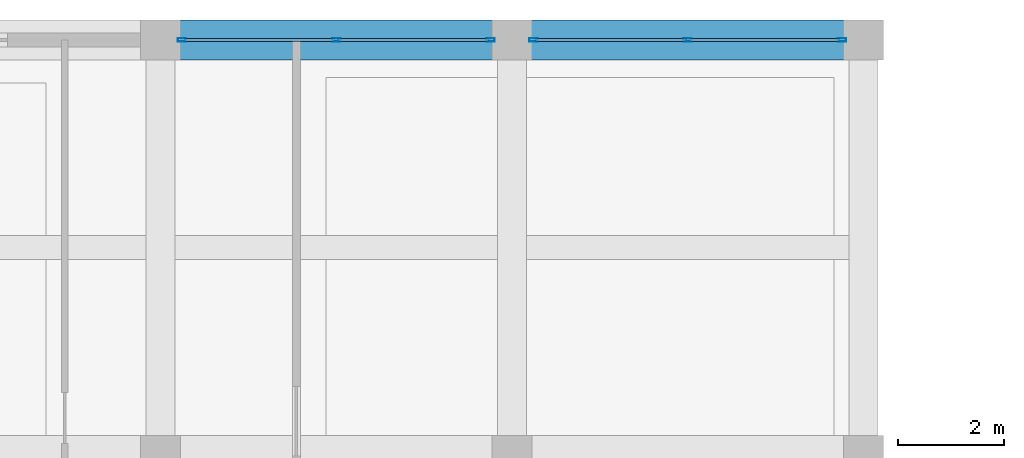
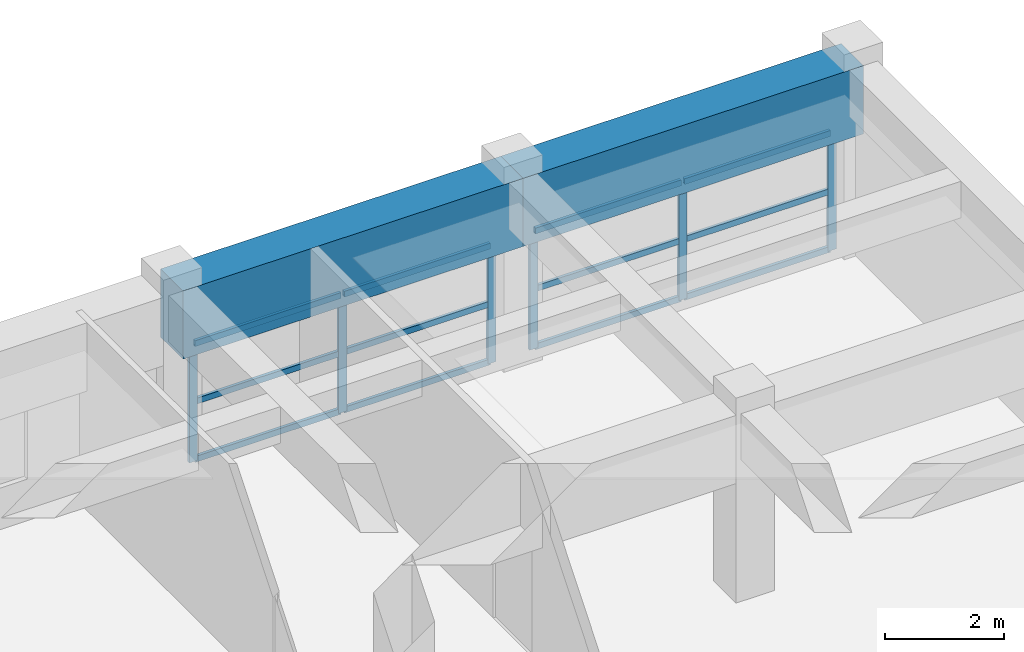
# One storey, part 98 of 148: 18 members, 2 beams, 2 elements without a shape of their own.
"""IFC4 building model written with IfcOpenShell, lengths in metres."""

from ifc_helpers import new_model, si_unit, direction, frame, origin, origin_2d, place, context, subcontext, project, spatial, rectangle, hollow_rectangle, extrude, material, material_profile, profile_set, type_object, element, aggregate, save


model = new_model("IFC4")

# Units and contexts
model_context = context("Model", 3, precision=1e-05, world=origin(), true_north=direction((0.0, 1.0)))
body_context = subcontext(model_context, "Body", "Model", "MODEL_VIEW")
ifc_project = project(units=[si_unit("LENGTHUNIT", "METRE"), si_unit("AREAUNIT", "SQUARE_METRE"), si_unit("VOLUMEUNIT", "CUBIC_METRE"), si_unit("PLANEANGLEUNIT", "RADIAN"), si_unit("MASSUNIT", "GRAM", prefix="KILO")], contexts=[model_context])

# Site, building, storey
site_placement = place(None, origin())
site = spatial("IfcSite", under=ifc_project, at=site_placement, CompositionType="ELEMENT")
building_placement = place(site_placement, origin())
building = spatial("IfcBuilding", under=site, at=building_placement, Name="Karori Crest Natural Sciences Institute", CompositionType="ELEMENT")
storey_placement = place(building_placement, frame((0.0, 0.0, 4.89990234375)))
storey = spatial("IfcBuildingStorey", under=building, at=storey_placement, Name="L01", CompositionType="ELEMENT", Elevation=4.89990234375)

# Beams
ifc_material_1 = material(Name="Concrete 50 MPa", Category="concrete")
ifc_material_profile_1 = material_profile(ifc_material_1, rectangle(XDim=0.75, YDim=1.39990234375, at=origin_2d()), Name="RCB750x1400")
ifc_profile_set_1 = profile_set([ifc_material_profile_1], Name="Concrete 50 MPa")
beam_type = type_object("IfcBeamType", Name="BT-17", PredefinedType="BEAM", material=ifc_profile_set_1)
beam_1_placement = place(storey_placement, frame((14.0, 162.199951171875, 3.150146484375), z_axis=(1.0, 0.0, 0.0), x_axis=(0.0, 1.0, 0.0)))
element("IfcBeam", 1, at=beam_1_placement, inside=storey, type_object=beam_type, Name="Beam B-1478", PredefinedType="BEAM", context=body_context, shape_type="SweptSolid", body=[
    extrude(rectangle(XDim=0.75, YDim=1.39990234375, at=origin_2d()), origin(), (0.0, 0.0, 1.0), 6.60009765625),
])
beam_2_placement = place(storey_placement, frame((20.60009765625, 162.199951171875, 3.150146484375), z_axis=(1.0, 0.0, 0.0), x_axis=(0.0, 1.0, 0.0)))
element("IfcBeam", 2, at=beam_2_placement, inside=storey, type_object=beam_type, Name="Beam B-1479", PredefinedType="BEAM", context=body_context, shape_type="SweptSolid", body=[
    extrude(rectangle(XDim=0.75, YDim=1.39990234375, at=origin_2d()), origin(), (0.0, 0.0, 1.0), 6.599853515625),
])

# Curtain wall, members
ifc_material_2 = material(Name="Anodised architectural aluminium 6063-T6", Category="aluminium")
curtain_wall_type = type_object("IfcCurtainWallType", Name="CWT-19", PredefinedType="NOTDEFINED", material=ifc_material_2)
curtain_wall_1_placement = place(storey_placement, origin())
curtain_wall_1 = element("IfcCurtainWall", 3, at=curtain_wall_1_placement, inside=storey, type_object=curtain_wall_type, Name="Curtain wall CW-0288", PredefinedType="NOTDEFINED")
ifc_material_profile_2 = material_profile(ifc_material_2, hollow_rectangle(XDim=0.06494140625, YDim=0.159912109375, WallThickness=0.00390625, at=origin_2d()), Name="CWM160x65x4")
ifc_profile_set_2 = profile_set([ifc_material_profile_2], Name="Anodised architectural aluminium 6063-T6")
member_type_1 = type_object("IfcMemberType", Name="CWM-01", PredefinedType="MULLION", material=ifc_profile_set_2)
member_1_placement = place(storey_placement, frame((14.405517578125, 162.199951171875, 0.0), z_axis=(0.0, 0.0, 1.0), x_axis=(0.0, 1.0, 0.0)))
member_1 = element("IfcMember", 4, at=member_1_placement, type_object=member_type_1, Name="CW-0288 mullion 1", PredefinedType="MULLION", context=body_context, shape_type="SweptSolid", body=[
    extrude(hollow_rectangle(XDim=0.06494140625, YDim=0.159912109375, WallThickness=0.00390625, at=origin_2d()), origin(), (0.0, 0.0, 1.0), 2.43505859375),
])
member_2_placement = place(storey_placement, frame((17.300048828125, 162.199951171875, 0.0), z_axis=(0.0, 0.0, 1.0), x_axis=(0.0, 1.0, 0.0)))
member_2 = element("IfcMember", 5, at=member_2_placement, type_object=member_type_1, Name="CW-0288 mullion 2", PredefinedType="MULLION", context=body_context, shape_type="SweptSolid", body=[
    extrude(hollow_rectangle(XDim=0.06494140625, YDim=0.159912109375, WallThickness=0.00390625, at=origin_2d()), origin(), (0.0, 0.0, 1.0), 2.43505859375),
])
member_3_placement = place(storey_placement, frame((20.194580078125, 162.199951171875, 0.0), z_axis=(0.0, 0.0, 1.0), x_axis=(0.0, 1.0, 0.0)))
member_3 = element("IfcMember", 6, at=member_3_placement, type_object=member_type_1, Name="CW-0288 mullion 3", PredefinedType="MULLION", context=body_context, shape_type="SweptSolid", body=[
    extrude(hollow_rectangle(XDim=0.06494140625, YDim=0.159912109375, WallThickness=0.00390625, at=origin_2d()), origin(), (0.0, 0.0, 1.0), 2.43505859375),
])

curtain_wall_2_placement = place(storey_placement, origin())
curtain_wall_2 = element("IfcCurtainWall", 7, at=curtain_wall_2_placement, inside=storey, type_object=curtain_wall_type, Name="Curtain wall CW-0289", PredefinedType="NOTDEFINED")
member_4_placement = place(storey_placement, frame((21.005615234375, 162.199951171875, 0.0), z_axis=(0.0, 0.0, 1.0), x_axis=(0.0, 1.0, 0.0)))
member_4 = element("IfcMember", 8, at=member_4_placement, type_object=member_type_1, Name="CW-0289 mullion 1", PredefinedType="MULLION", context=body_context, shape_type="SweptSolid", body=[
    extrude(hollow_rectangle(XDim=0.06494140625, YDim=0.159912109375, WallThickness=0.00390625, at=origin_2d()), origin(), (0.0, 0.0, 1.0), 2.43505859375),
])
member_5_placement = place(storey_placement, frame((23.89990234375, 162.199951171875, 0.0), z_axis=(0.0, 0.0, 1.0), x_axis=(0.0, 1.0, 0.0)))
member_5 = element("IfcMember", 9, at=member_5_placement, type_object=member_type_1, Name="CW-0289 mullion 2", PredefinedType="MULLION", context=body_context, shape_type="SweptSolid", body=[
    extrude(hollow_rectangle(XDim=0.06494140625, YDim=0.159912109375, WallThickness=0.00390625, at=origin_2d()), origin(), (0.0, 0.0, 1.0), 2.43505859375),
])
member_6_placement = place(storey_placement, frame((26.79443359375, 162.199951171875, 0.0), z_axis=(0.0, 0.0, 1.0), x_axis=(0.0, 1.0, 0.0)))
member_6 = element("IfcMember", 10, at=member_6_placement, type_object=member_type_1, Name="CW-0289 mullion 3", PredefinedType="MULLION", context=body_context, shape_type="SweptSolid", body=[
    extrude(hollow_rectangle(XDim=0.06494140625, YDim=0.159912109375, WallThickness=0.00390625, at=origin_2d()), origin(), (0.0, 0.0, 1.0), 2.43505859375),
])

# Member
ifc_material_profile_3 = material_profile(ifc_material_2, hollow_rectangle(XDim=0.06005859375, YDim=0.1201171875, WallThickness=0.00390625, at=origin_2d()), Name="CWT120x60x4")
ifc_profile_set_3 = profile_set([ifc_material_profile_3], Name="Anodised architectural aluminium 6063-T6")
member_type_2 = type_object("IfcMemberType", Name="CWT-TR1", PredefinedType="USERDEFINED", material=ifc_profile_set_3)
member_7_placement = place(storey_placement, frame((14.43798828125, 162.199951171875, 0.030029296875), z_axis=(1.0, 0.0, 0.0), x_axis=(0.0, 1.0, 0.0)))
member_7 = element("IfcMember", 11, at=member_7_placement, type_object=member_type_2, Name="CW-0288 transom 1.1", ObjectType="TRANSOM", PredefinedType="USERDEFINED", context=body_context, shape_type="SweptSolid", body=[
    extrude(hollow_rectangle(XDim=0.06005859375, YDim=0.1201171875, WallThickness=0.00390625, at=origin_2d()), origin(), (0.0, 0.0, 1.0), 2.82958984375),
])

member_8_placement = place(storey_placement, frame((14.43798828125, 162.199951171875, 1.217529296875), z_axis=(1.0, 0.0, 0.0), x_axis=(0.0, 1.0, 0.0)))
member_8 = element("IfcMember", 12, at=member_8_placement, type_object=member_type_2, Name="CW-0288 transom 1.2", ObjectType="TRANSOM", PredefinedType="USERDEFINED", context=body_context, shape_type="SweptSolid", body=[
    extrude(hollow_rectangle(XDim=0.06005859375, YDim=0.1201171875, WallThickness=0.00390625, at=origin_2d()), origin(), (0.0, 0.0, 1.0), 2.82958984375),
])

member_9_placement = place(storey_placement, frame((14.43798828125, 162.199951171875, 2.405029296875), z_axis=(1.0, 0.0, 0.0), x_axis=(0.0, 1.0, 0.0)))
member_9 = element("IfcMember", 13, at=member_9_placement, type_object=member_type_2, Name="CW-0288 transom 1.3", ObjectType="TRANSOM", PredefinedType="USERDEFINED", context=body_context, shape_type="SweptSolid", body=[
    extrude(hollow_rectangle(XDim=0.06005859375, YDim=0.1201171875, WallThickness=0.00390625, at=origin_2d()), origin(), (0.0, 0.0, 1.0), 2.82958984375),
])

member_10_placement = place(storey_placement, frame((17.33251953125, 162.199951171875, 0.030029296875), z_axis=(1.0, 0.0, 0.0), x_axis=(0.0, 1.0, 0.0)))
member_10 = element("IfcMember", 14, at=member_10_placement, type_object=member_type_2, Name="CW-0288 transom 2.1", ObjectType="TRANSOM", PredefinedType="USERDEFINED", context=body_context, shape_type="SweptSolid", body=[
    extrude(hollow_rectangle(XDim=0.06005859375, YDim=0.1201171875, WallThickness=0.00390625, at=origin_2d()), origin(), (0.0, 0.0, 1.0), 2.82958984375),
])

member_11_placement = place(storey_placement, frame((17.33251953125, 162.199951171875, 1.217529296875), z_axis=(1.0, 0.0, 0.0), x_axis=(0.0, 1.0, 0.0)))
member_11 = element("IfcMember", 15, at=member_11_placement, type_object=member_type_2, Name="CW-0288 transom 2.2", ObjectType="TRANSOM", PredefinedType="USERDEFINED", context=body_context, shape_type="SweptSolid", body=[
    extrude(hollow_rectangle(XDim=0.06005859375, YDim=0.1201171875, WallThickness=0.00390625, at=origin_2d()), origin(), (0.0, 0.0, 1.0), 2.82958984375),
])

member_12_placement = place(storey_placement, frame((17.33251953125, 162.199951171875, 2.405029296875), z_axis=(1.0, 0.0, 0.0), x_axis=(0.0, 1.0, 0.0)))
member_12 = element("IfcMember", 16, at=member_12_placement, type_object=member_type_2, Name="CW-0288 transom 2.3", ObjectType="TRANSOM", PredefinedType="USERDEFINED", context=body_context, shape_type="SweptSolid", body=[
    extrude(hollow_rectangle(XDim=0.06005859375, YDim=0.1201171875, WallThickness=0.00390625, at=origin_2d()), origin(), (0.0, 0.0, 1.0), 2.82958984375),
])

aggregate(curtain_wall_1, [member_1, member_2, member_3, member_7, member_8, member_9, member_10, member_11, member_12])

member_13_placement = place(storey_placement, frame((21.0380859375, 162.199951171875, 0.030029296875), z_axis=(1.0, 0.0, 0.0), x_axis=(0.0, 1.0, 0.0)))
member_13 = element("IfcMember", 17, at=member_13_placement, type_object=member_type_2, Name="CW-0289 transom 1.1", ObjectType="TRANSOM", PredefinedType="USERDEFINED", context=body_context, shape_type="SweptSolid", body=[
    extrude(hollow_rectangle(XDim=0.06005859375, YDim=0.1201171875, WallThickness=0.00390625, at=origin_2d()), origin(), (0.0, 0.0, 1.0), 2.829345703125),
])

member_14_placement = place(storey_placement, frame((21.0380859375, 162.199951171875, 1.217529296875), z_axis=(1.0, 0.0, 0.0), x_axis=(0.0, 1.0, 0.0)))
member_14 = element("IfcMember", 18, at=member_14_placement, type_object=member_type_2, Name="CW-0289 transom 1.2", ObjectType="TRANSOM", PredefinedType="USERDEFINED", context=body_context, shape_type="SweptSolid", body=[
    extrude(hollow_rectangle(XDim=0.06005859375, YDim=0.1201171875, WallThickness=0.00390625, at=origin_2d()), origin(), (0.0, 0.0, 1.0), 2.829345703125),
])

member_15_placement = place(storey_placement, frame((21.0380859375, 162.199951171875, 2.405029296875), z_axis=(1.0, 0.0, 0.0), x_axis=(0.0, 1.0, 0.0)))
member_15 = element("IfcMember", 19, at=member_15_placement, type_object=member_type_2, Name="CW-0289 transom 1.3", ObjectType="TRANSOM", PredefinedType="USERDEFINED", context=body_context, shape_type="SweptSolid", body=[
    extrude(hollow_rectangle(XDim=0.06005859375, YDim=0.1201171875, WallThickness=0.00390625, at=origin_2d()), origin(), (0.0, 0.0, 1.0), 2.829345703125),
])

member_16_placement = place(storey_placement, frame((23.9326171875, 162.199951171875, 0.030029296875), z_axis=(1.0, 0.0, 0.0), x_axis=(0.0, 1.0, 0.0)))
member_16 = element("IfcMember", 20, at=member_16_placement, type_object=member_type_2, Name="CW-0289 transom 2.1", ObjectType="TRANSOM", PredefinedType="USERDEFINED", context=body_context, shape_type="SweptSolid", body=[
    extrude(hollow_rectangle(XDim=0.06005859375, YDim=0.1201171875, WallThickness=0.00390625, at=origin_2d()), origin(), (0.0, 0.0, 1.0), 2.829345703125),
])

member_17_placement = place(storey_placement, frame((23.9326171875, 162.199951171875, 1.217529296875), z_axis=(1.0, 0.0, 0.0), x_axis=(0.0, 1.0, 0.0)))
member_17 = element("IfcMember", 21, at=member_17_placement, type_object=member_type_2, Name="CW-0289 transom 2.2", ObjectType="TRANSOM", PredefinedType="USERDEFINED", context=body_context, shape_type="SweptSolid", body=[
    extrude(hollow_rectangle(XDim=0.06005859375, YDim=0.1201171875, WallThickness=0.00390625, at=origin_2d()), origin(), (0.0, 0.0, 1.0), 2.829345703125),
])

member_18_placement = place(storey_placement, frame((23.9326171875, 162.199951171875, 2.405029296875), z_axis=(1.0, 0.0, 0.0), x_axis=(0.0, 1.0, 0.0)))
member_18 = element("IfcMember", 22, at=member_18_placement, type_object=member_type_2, Name="CW-0289 transom 2.3", ObjectType="TRANSOM", PredefinedType="USERDEFINED", context=body_context, shape_type="SweptSolid", body=[
    extrude(hollow_rectangle(XDim=0.06005859375, YDim=0.1201171875, WallThickness=0.00390625, at=origin_2d()), origin(), (0.0, 0.0, 1.0), 2.829345703125),
])

aggregate(curtain_wall_2, [member_4, member_5, member_6, member_13, member_14, member_15, member_16, member_17, member_18])

save(model, "model.ifc")
